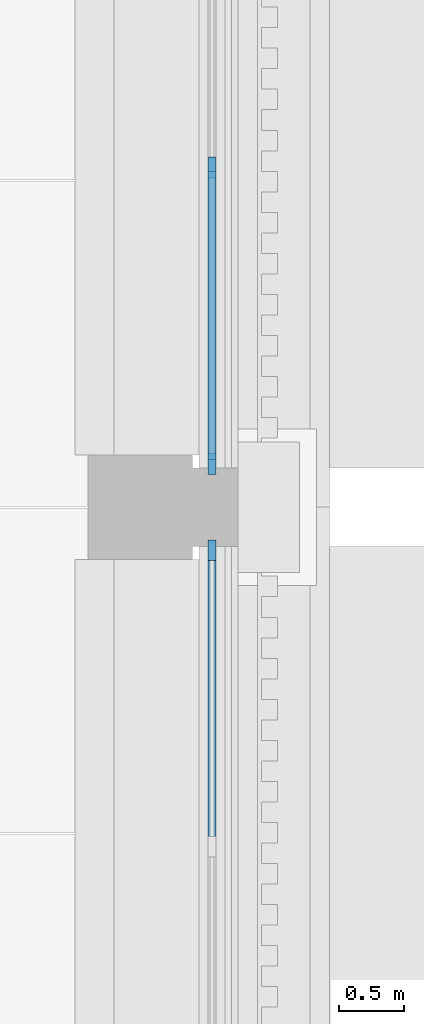
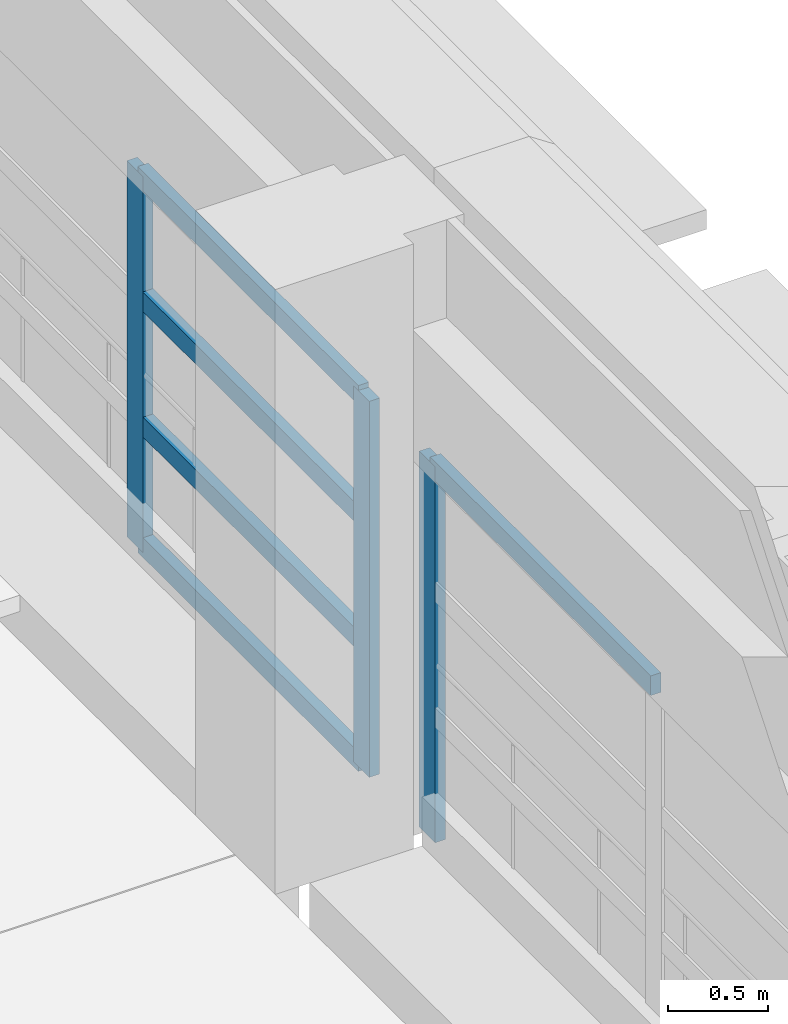
# One storey, part 10 of 71: 8 members, 2 elements without a shape of their own.
"""IFC4 building model written with IfcOpenShell, lengths in metres."""

from ifc_helpers import new_model, si_unit, direction, frame, origin, origin_2d, place, context, subcontext, project, spatial, rectangle, extrude, material, layer, layer_set, material_profile, profile_set, type_object, element, aggregate, save


model = new_model("IFC4")

# Units and contexts
model_context = context("Model", 3, precision=1e-05, world=origin(), true_north=direction((0.0, 1.0)))
body_context = subcontext(model_context, "Body", "Model", "MODEL_VIEW")
ifc_project = project(units=[si_unit("LENGTHUNIT", "METRE"), si_unit("AREAUNIT", "SQUARE_METRE"), si_unit("VOLUMEUNIT", "CUBIC_METRE"), si_unit("PLANEANGLEUNIT", "RADIAN"), si_unit("MASSUNIT", "GRAM", prefix="KILO")], contexts=[model_context])

# Site, building, storey
site_placement = place(None, origin())
site = spatial("IfcSite", under=ifc_project, at=site_placement, CompositionType="ELEMENT")
building_placement = place(site_placement, origin())
building = spatial("IfcBuilding", under=site, at=building_placement, Name="Cour d'Honneur Mobility Palace", CompositionType="ELEMENT")
storey_placement = place(building_placement, frame((0.0, 0.0, 15.60009765625)))
storey = spatial("IfcBuildingStorey", under=building, at=storey_placement, Name="L04", CompositionType="ELEMENT", Elevation=15.60009765625)

# Curtain wall, member
ifc_material_1 = material(Name="Aluminium and glass", Category="aluminium")
ifc_layer = layer(ifc_material_1, 0.10009765625)
ifc_layer_set = layer_set([ifc_layer], Name="Aluminium and glass")
curtain_wall_type = type_object("IfcCurtainWallType", Name="Curtain wall run", PredefinedType="NOTDEFINED", material=ifc_layer_set)
curtain_wall_1_placement = place(storey_placement, origin())
curtain_wall_1 = element("IfcCurtainWall", 1, at=curtain_wall_1_placement, inside=storey, type_object=curtain_wall_type, Name="Curtain wall CW-40", PredefinedType="NOTDEFINED")
ifc_material_2 = material(Name="Aluminium", Category="aluminium")
ifc_material_profile_1 = material_profile(ifc_material_2, rectangle(XDim=0.06005859375, YDim=0.159912109375, at=origin_2d()), Name="Curtain wall mullion")
ifc_profile_set_1 = profile_set([ifc_material_profile_1], Name="Aluminium")
member_type_1 = type_object("IfcMemberType", Name="Curtain wall mullion", PredefinedType="MULLION", material=ifc_profile_set_1)
member_1_placement = place(storey_placement, frame((17.949951171875, 92.070068359375, 0.0), z_axis=(0.0, 0.0, 1.0), x_axis=(-1.0, 0.0, 0.0)))
member_1 = element("IfcMember", 2, at=member_1_placement, type_object=member_type_1, Name="CW-40 mullion 4", PredefinedType="MULLION", context=body_context, shape_type="SweptSolid", body=[
    extrude(rectangle(XDim=0.06005859375, YDim=0.159912109375, at=origin_2d()), origin(), (0.0, 0.0, 1.0), 2.2998046875),
])

# Curtain wall, members
curtain_wall_2_placement = place(storey_placement, origin())
curtain_wall_2 = element("IfcCurtainWall", 3, at=curtain_wall_2_placement, inside=storey, type_object=curtain_wall_type, Name="Curtain wall CW-41", PredefinedType="NOTDEFINED")
member_2_placement = place(storey_placement, frame((17.949951171875, 92.72998046875, 0.0), z_axis=(0.0, 0.0, 1.0), x_axis=(-1.0, 0.0, 0.0)))
member_2 = element("IfcMember", 4, at=member_2_placement, type_object=member_type_1, Name="CW-41 mullion 1", PredefinedType="MULLION", context=body_context, shape_type="SweptSolid", body=[
    extrude(rectangle(XDim=0.06005859375, YDim=0.159912109375, at=origin_2d()), origin(), (0.0, 0.0, 1.0), 2.2998046875),
])
member_3_placement = place(storey_placement, frame((17.949951171875, 95.0, 0.0), z_axis=(0.0, 0.0, 1.0), x_axis=(-1.0, 0.0, 0.0)))
member_3 = element("IfcMember", 5, at=member_3_placement, type_object=member_type_1, Name="CW-41 mullion 2", PredefinedType="MULLION", context=body_context, shape_type="SweptSolid", body=[
    extrude(rectangle(XDim=0.06005859375, YDim=0.159912109375, at=origin_2d()), origin(), (0.0, 0.0, 1.0), 2.2998046875),
])

# Member
ifc_material_3 = material(Name="Aluminium", Category="aluminium")
ifc_material_profile_2 = material_profile(ifc_material_3, rectangle(XDim=0.06005859375, YDim=0.1201171875, at=origin_2d()), Name="Curtain wall transom")
ifc_profile_set_2 = profile_set([ifc_material_profile_2], Name="Aluminium")
member_type_2 = type_object("IfcMemberType", Name="Curtain wall transom", PredefinedType="USERDEFINED", material=ifc_profile_set_2)
member_4_placement = place(storey_placement, frame((17.949951171875, 89.830078125, 2.27001953125), z_axis=(0.0, 1.0, 0.0), x_axis=(-1.0, 0.0, 0.0)))
member_4 = element("IfcMember", 6, at=member_4_placement, type_object=member_type_2, Name="CW-40 transom 3.4", ObjectType="TRANSOM", PredefinedType="USERDEFINED", context=body_context, shape_type="SweptSolid", body=[
    extrude(rectangle(XDim=0.06005859375, YDim=0.1201171875, at=origin_2d()), origin(), (0.0, 0.0, 1.0), 2.2099609375),
])

aggregate(curtain_wall_1, [member_1, member_4])

member_5_placement = place(storey_placement, frame((17.949951171875, 92.760009765625, 0.02978515625), z_axis=(0.0, 1.0, 0.0), x_axis=(-1.0, 0.0, 0.0)))
member_5 = element("IfcMember", 7, at=member_5_placement, type_object=member_type_2, Name="CW-41 transom 1.1", ObjectType="TRANSOM", PredefinedType="USERDEFINED", context=body_context, shape_type="SweptSolid", body=[
    extrude(rectangle(XDim=0.06005859375, YDim=0.1201171875, at=origin_2d()), origin(), (0.0, 0.0, 1.0), 2.2099609375),
])

member_6_placement = place(storey_placement, frame((17.949951171875, 92.760009765625, 0.7666015625), z_axis=(0.0, 1.0, 0.0), x_axis=(-1.0, 0.0, 0.0)))
member_6 = element("IfcMember", 8, at=member_6_placement, type_object=member_type_2, Name="CW-41 transom 1.2", ObjectType="TRANSOM", PredefinedType="USERDEFINED", context=body_context, shape_type="SweptSolid", body=[
    extrude(rectangle(XDim=0.06005859375, YDim=0.1201171875, at=origin_2d()), origin(), (0.0, 0.0, 1.0), 2.2099609375),
])

member_7_placement = place(storey_placement, frame((17.949951171875, 92.760009765625, 1.533203125), z_axis=(0.0, 1.0, 0.0), x_axis=(-1.0, 0.0, 0.0)))
member_7 = element("IfcMember", 9, at=member_7_placement, type_object=member_type_2, Name="CW-41 transom 1.3", ObjectType="TRANSOM", PredefinedType="USERDEFINED", context=body_context, shape_type="SweptSolid", body=[
    extrude(rectangle(XDim=0.06005859375, YDim=0.1201171875, at=origin_2d()), origin(), (0.0, 0.0, 1.0), 2.2099609375),
])

member_8_placement = place(storey_placement, frame((17.949951171875, 92.760009765625, 2.27001953125), z_axis=(0.0, 1.0, 0.0), x_axis=(-1.0, 0.0, 0.0)))
member_8 = element("IfcMember", 10, at=member_8_placement, type_object=member_type_2, Name="CW-41 transom 1.4", ObjectType="TRANSOM", PredefinedType="USERDEFINED", context=body_context, shape_type="SweptSolid", body=[
    extrude(rectangle(XDim=0.06005859375, YDim=0.1201171875, at=origin_2d()), origin(), (0.0, 0.0, 1.0), 2.2099609375),
])

aggregate(curtain_wall_2, [member_2, member_3, member_5, member_6, member_7, member_8])

save(model, "model.ifc")
